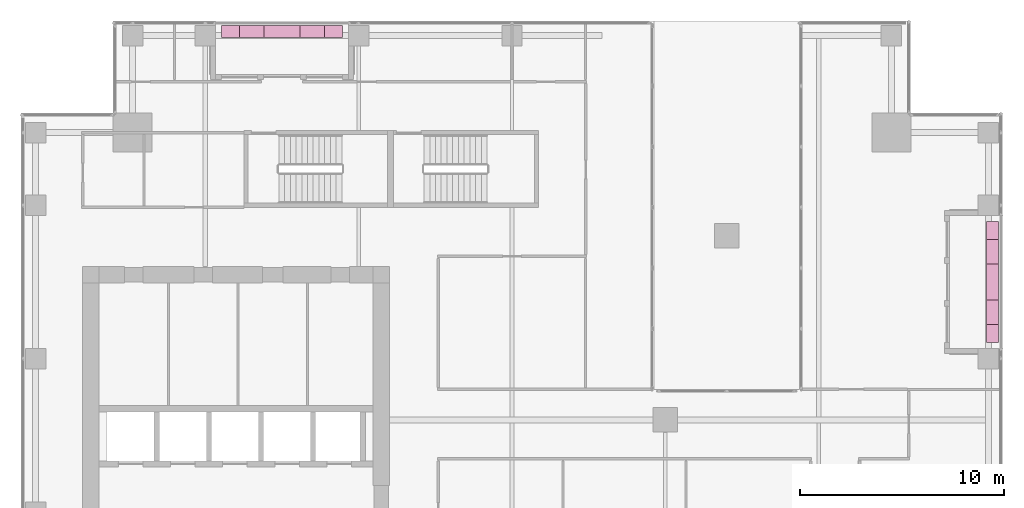
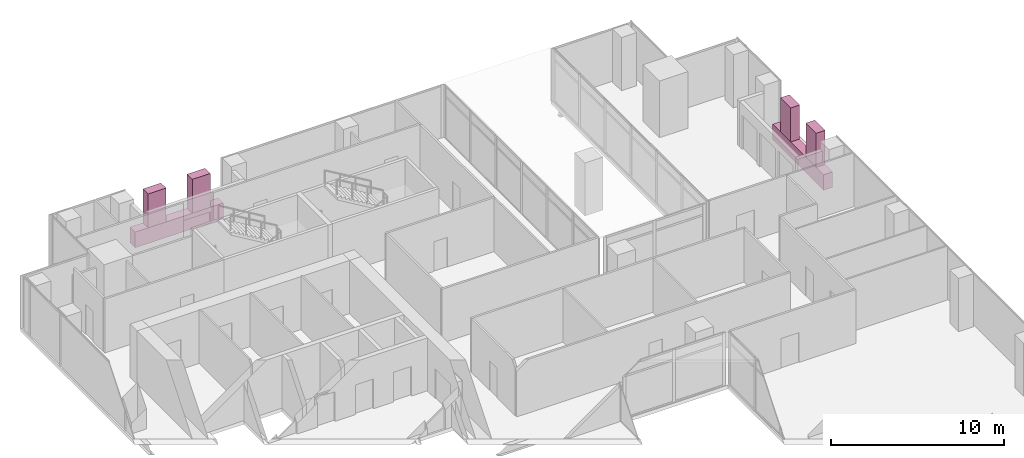
# One storey, part 40 of 40: 6 furnishings.
"""IFC4 building model written with IfcOpenShell, lengths in metres."""

from ifc_helpers import new_model, si_unit, direction, frame, origin, origin_2d, place, context, subcontext, project, spatial, rectangle, extrude, source, transform, mapped, material, type_object, element, save


model = new_model("IFC4")

# Units and contexts
model_context = context("Model", 3, precision=1e-05, world=origin(), true_north=direction((0.0, 1.0)))
body_context = subcontext(model_context, "Body", "Model", "MODEL_VIEW")
ifc_project = project(units=[si_unit("LENGTHUNIT", "METRE"), si_unit("AREAUNIT", "SQUARE_METRE"), si_unit("VOLUMEUNIT", "CUBIC_METRE"), si_unit("PLANEANGLEUNIT", "RADIAN"), si_unit("MASSUNIT", "GRAM", prefix="KILO")], contexts=[model_context])

# Site, building, storey
site_placement = place(None, origin())
site = spatial("IfcSite", under=ifc_project, at=site_placement, CompositionType="ELEMENT")
building_placement = place(site_placement, origin())
building = spatial("IfcBuilding", under=site, at=building_placement, Name="Khomas Fold Tower", CompositionType="ELEMENT")
storey_placement = place(building_placement, frame((0.0, 0.0, 184.699951171875)))
storey = spatial("IfcBuildingStorey", under=building, at=storey_placement, Name="L40", CompositionType="ELEMENT", Elevation=184.699951171875)

# Furnishings
ifc_material_1 = material(Name="Precast concrete C40/50", Category="concrete")
furnishing_element_type_1 = type_object("IfcFurnishingElementType", Name="BL-Structural planter box", material=ifc_material_1)
shared_shape_1 = source(origin(), body_context, "Body", "SweptSolid", [
    extrude(rectangle(XDim=5.89990234375, YDim=0.60009765625, at=origin_2d()), origin(), (0.0, 0.0, 1.0), 1.10009765625),
])
for number, where, z_axis, x_axis, name in (
    (1, (50.5, 38.25, -0.044921875), (0.0, 0.0, 1.0), (0.0, 1.0, 0.0), "PLANTER BAL-L40-E4"),
    (2, (15.75, 50.5, -0.044921875), (0.0, 0.0, 1.0), (1.0, 0.0, 0.0), "PLANTER BAL-L40-N1"),
):
    element("IfcFurnishingElement", number, at=place(storey_placement, frame(where, z_axis=z_axis, x_axis=x_axis)), inside=storey, type_object=furnishing_element_type_1, Name=name, context=body_context, shape_type="MappedRepresentation", body=[
        mapped(shared_shape_1, transform((0.0, 0.0, 0.0))),
    ])
ifc_material_2 = material(Name="Planting")
furnishing_element_type_2 = type_object("IfcFurnishingElementType", Name="BL-Tree Wild olive", material=ifc_material_2)
shared_shape_2 = source(origin(), body_context, "Body", "SweptSolid", [
    extrude(rectangle(XDim=1.199951171875, YDim=0.60009765625, at=origin_2d()), origin(), (0.0, 0.0, 1.0), 2.39501953125),
])
furnishing_1_placement = place(storey_placement, frame((50.5, 36.77490234375, 1.054931640625), z_axis=(0.0, 0.0, 1.0), x_axis=(0.0, 1.0, 0.0)))
element("IfcFurnishingElement", 3, at=furnishing_1_placement, inside=storey, type_object=furnishing_element_type_2, Name="PLANTER (TREE) Wild olive BAL-L40-E4-1", context=body_context, shape_type="MappedRepresentation", body=[
    mapped(shared_shape_2, transform((0.0, 0.0, 0.0))),
])
ifc_material_3 = material(Name="Planting")
furnishing_element_type_3 = type_object("IfcFurnishingElementType", Name="BL-Tree Shepherd's tree", material=ifc_material_3)
furnishing_2_placement = place(storey_placement, frame((50.5, 39.72509765625, 1.054931640625), z_axis=(0.0, 0.0, 1.0), x_axis=(0.0, 1.0, 0.0)))
element("IfcFurnishingElement", 4, at=furnishing_2_placement, inside=storey, type_object=furnishing_element_type_3, Name="PLANTER (TREE) Shepherd's tree BAL-L40-E4-2", context=body_context, shape_type="MappedRepresentation", body=[
    mapped(shared_shape_2, transform((0.0, 0.0, 0.0))),
])
furnishing_3_placement = place(storey_placement, frame((14.27490234375, 50.5, 1.054931640625), z_axis=(0.0, 0.0, 1.0), x_axis=(1.0, 0.0, 0.0)))
element("IfcFurnishingElement", 5, at=furnishing_3_placement, inside=storey, type_object=furnishing_element_type_2, Name="PLANTER (TREE) Wild olive BAL-L40-N1-1", context=body_context, shape_type="MappedRepresentation", body=[
    mapped(shared_shape_2, transform((0.0, 0.0, 0.0))),
])
furnishing_4_placement = place(storey_placement, frame((17.22509765625, 50.5, 1.054931640625), z_axis=(0.0, 0.0, 1.0), x_axis=(1.0, 0.0, 0.0)))
element("IfcFurnishingElement", 6, at=furnishing_4_placement, inside=storey, type_object=furnishing_element_type_3, Name="PLANTER (TREE) Shepherd's tree BAL-L40-N1-2", context=body_context, shape_type="MappedRepresentation", body=[
    mapped(shared_shape_2, transform((0.0, 0.0, 0.0))),
])

save(model, "model.ifc")
